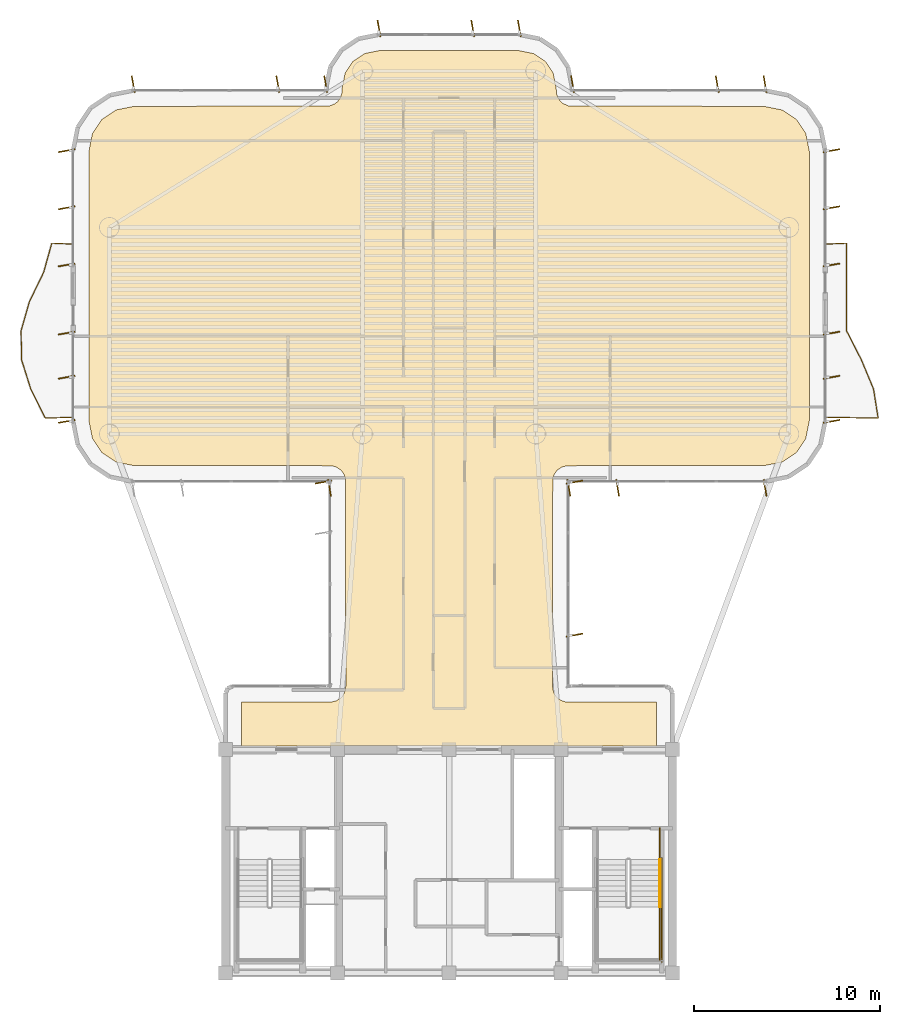
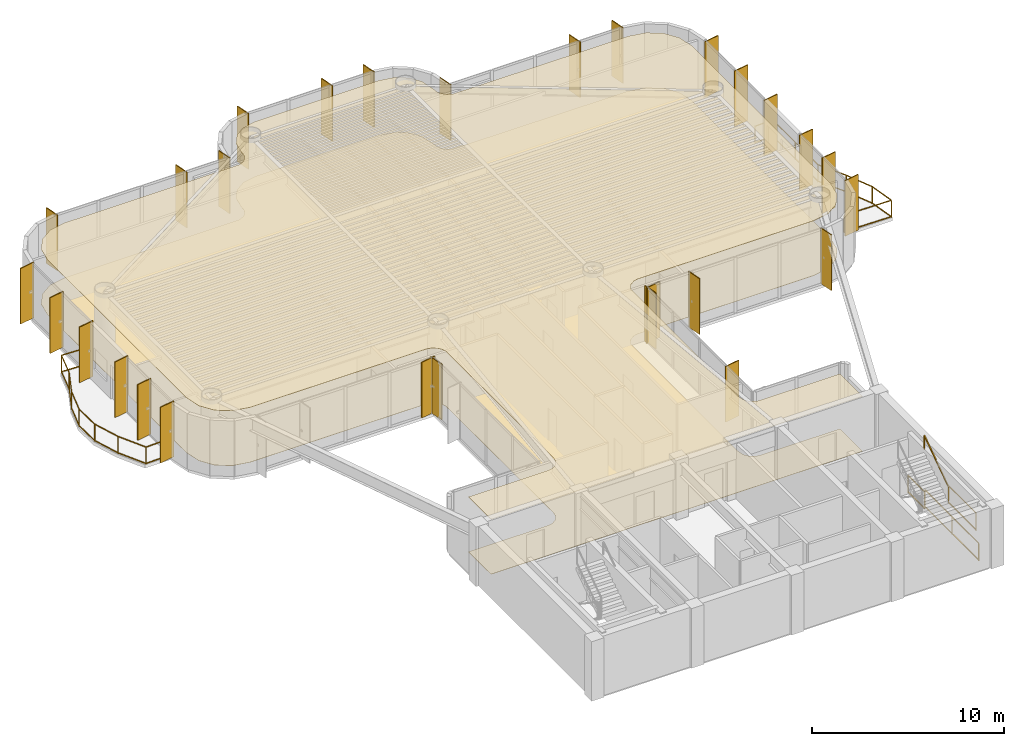
# One storey, part 14 of 14: 28 shading devices, 6 railings, 2 coverings.
"""IFC4 building model written with IfcOpenShell, lengths in metres."""

from ifc_helpers import new_model, si_unit, direction, frame, origin, origin_2d, place, context, subcontext, project, spatial, polyline, rectangle, outline, extrude, source, transform, mapped, material, layer, layer_set, material_profile, profile_set, type_object, element, save


model = new_model("IFC4")

# Units and contexts
model_context = context("Model", 3, precision=1e-05, world=origin(), true_north=direction((0.0, 1.0)))
body_context = subcontext(model_context, "Body", "Model", "MODEL_VIEW")
ifc_project = project(units=[si_unit("LENGTHUNIT", "METRE"), si_unit("AREAUNIT", "SQUARE_METRE"), si_unit("VOLUMEUNIT", "CUBIC_METRE"), si_unit("PLANEANGLEUNIT", "RADIAN"), si_unit("MASSUNIT", "GRAM", prefix="KILO")], contexts=[model_context])

# Site, building, storey
site_placement = place(None, origin())
site = spatial("IfcSite", under=ifc_project, at=site_placement, CompositionType="ELEMENT")
building_placement = place(site_placement, origin())
building = spatial("IfcBuilding", under=site, at=building_placement, Name="Brelvock Crest Care Tower", CompositionType="ELEMENT")
storey_placement = place(building_placement, frame((0.0, 0.0, 182.8798828125)))
storey = spatial("IfcBuildingStorey", under=building, at=storey_placement, Name="L46", CompositionType="ELEMENT", Elevation=182.8798828125)

# Coverings
ifc_material_1 = material(Name="Mineral Fibre Acoustic Ceiling Tile", Category="gypsum")
ifc_layer_1 = layer(ifc_material_1, 0.02490234375, Name="COV-CLG1")
ifc_layer_set_1 = layer_set([ifc_layer_1], Name="Mineral Fibre Acoustic Ceiling Tile")
covering_type_1 = type_object("IfcCoveringType", Name="COV-CLG1", PredefinedType="CEILING", material=ifc_layer_set_1)
covering_1_placement = place(storey_placement, frame((0.0, 0.0, 3.47509765625)))
element("IfcCovering", 1, at=covering_1_placement, inside=storey, type_object=covering_type_1, Name="L46 Acoustic Suspended Ceiling 1", PredefinedType="CEILING", context=body_context, shape_type="SweptSolid", body=[
    extrude(outline(polyline([(24.85009765625, 18.199951171875), (47.14990234375, 18.199951171875), (47.14990234375, 20.550048828125), (42.316650390625, 20.55419921875), (42.1533203125, 20.586669921875), (41.927734375, 20.693359375), (41.742919921875, 20.86083984375), (41.61474609375, 21.07470703125), (41.550048828125, 21.39990234375), (41.56640625, 32.56591796875), (41.650390625, 32.80078125), (41.799072265625, 33.0009765625), (42.07470703125, 33.185302734375), (42.316650390625, 33.245849609375), (52.916259765625, 33.25), (53.892822265625, 33.4443359375), (54.64990234375, 33.9501953125), (55.15576171875, 34.70703125), (55.35009765625, 35.68359375), (55.35009765625, 50.1162109375), (55.15576171875, 51.093017578125), (54.64990234375, 51.849853515625), (53.892822265625, 52.355712890625), (52.916259765625, 52.550048828125), (42.43408203125, 52.56640625), (42.127685546875, 52.693359375), (41.9990234375, 52.799072265625), (41.850341796875, 52.999267578125), (41.766357421875, 53.234130859375), (41.75, 53.516357421875), (41.586181640625, 54.33984375), (41.1669921875, 54.967041015625), (40.539794921875, 55.38623046875), (39.71630859375, 55.550048828125), (32.28369140625, 55.550048828125), (31.460205078125, 55.38623046875), (30.8330078125, 54.967041015625), (30.413818359375, 54.33984375), (30.25, 53.516357421875), (30.233642578125, 53.234130859375), (30.149658203125, 52.999267578125), (30.0009765625, 52.799072265625), (29.872314453125, 52.693359375), (29.56591796875, 52.56640625), (19.083740234375, 52.550048828125), (18.107177734375, 52.355712890625), (17.35009765625, 51.849853515625), (16.84423828125, 51.093017578125), (16.64990234375, 50.1162109375), (16.64990234375, 35.68359375), (16.84423828125, 34.70703125), (17.35009765625, 33.9501953125), (18.107177734375, 33.4443359375), (19.083740234375, 33.25), (29.683349609375, 33.245849609375), (29.92529296875, 33.185302734375), (30.200927734375, 33.0009765625), (30.349609375, 32.80078125), (30.43359375, 32.56591796875), (30.449951171875, 21.39990234375), (30.38525390625, 21.07470703125), (30.257080078125, 20.86083984375), (30.13916015625, 20.742919921875), (29.92529296875, 20.61474609375), (29.683349609375, 20.55419921875), (24.85009765625, 20.550048828125), (24.85009765625, 18.199951171875)])), origin(), (0.0, 0.0, 1.0), 0.02490234375),
])
ifc_material_2 = material(Name="Slip-Resistant Acoustic Vinyl Flooring", Category="finish")
ifc_layer_2 = layer(ifc_material_2, 0.014892578125, Name="COV-FLR1")
ifc_layer_set_2 = layer_set([ifc_layer_2], Name="Slip-Resistant Acoustic Vinyl Flooring")
covering_type_2 = type_object("IfcCoveringType", Name="COV-FLR1", PredefinedType="FLOORING", material=ifc_layer_set_2)
covering_2_placement = place(storey_placement, origin())
element("IfcCovering", 2, at=covering_2_placement, inside=storey, type_object=covering_type_2, Name="L46 Slip-Resistant Acoustic Flooring 1", PredefinedType="FLOORING", context=body_context, shape_type="SweptSolid", body=[
    extrude(outline(polyline([(24.85009765625, 18.199951171875), (47.14990234375, 18.199951171875), (47.14990234375, 20.550048828125), (42.316650390625, 20.55419921875), (42.1533203125, 20.586669921875), (41.927734375, 20.693359375), (41.742919921875, 20.86083984375), (41.61474609375, 21.07470703125), (41.550048828125, 21.39990234375), (41.56640625, 32.56591796875), (41.650390625, 32.80078125), (41.799072265625, 33.0009765625), (42.07470703125, 33.185302734375), (42.316650390625, 33.245849609375), (52.916259765625, 33.25), (53.892822265625, 33.4443359375), (54.64990234375, 33.9501953125), (55.15576171875, 34.70703125), (55.35009765625, 35.68359375), (55.35009765625, 50.1162109375), (55.15576171875, 51.093017578125), (54.64990234375, 51.849853515625), (53.892822265625, 52.355712890625), (52.916259765625, 52.550048828125), (42.43408203125, 52.56640625), (42.127685546875, 52.693359375), (41.9990234375, 52.799072265625), (41.850341796875, 52.999267578125), (41.766357421875, 53.234130859375), (41.75, 53.516357421875), (41.586181640625, 54.33984375), (41.1669921875, 54.967041015625), (40.539794921875, 55.38623046875), (39.71630859375, 55.550048828125), (32.28369140625, 55.550048828125), (31.460205078125, 55.38623046875), (30.8330078125, 54.967041015625), (30.413818359375, 54.33984375), (30.25, 53.516357421875), (30.233642578125, 53.234130859375), (30.149658203125, 52.999267578125), (30.0009765625, 52.799072265625), (29.872314453125, 52.693359375), (29.56591796875, 52.56640625), (19.083740234375, 52.550048828125), (18.107177734375, 52.355712890625), (17.35009765625, 51.849853515625), (16.84423828125, 51.093017578125), (16.64990234375, 50.1162109375), (16.64990234375, 35.68359375), (16.84423828125, 34.70703125), (17.35009765625, 33.9501953125), (18.107177734375, 33.4443359375), (19.083740234375, 33.25), (29.683349609375, 33.245849609375), (29.92529296875, 33.185302734375), (30.200927734375, 33.0009765625), (30.349609375, 32.80078125), (30.43359375, 32.56591796875), (30.449951171875, 21.39990234375), (30.38525390625, 21.07470703125), (30.257080078125, 20.86083984375), (30.13916015625, 20.742919921875), (29.92529296875, 20.61474609375), (29.683349609375, 20.55419921875), (24.85009765625, 20.550048828125), (24.85009765625, 18.199951171875)])), origin(), (0.0, 0.0, 1.0), 0.01513671875),
])

# Railings
ifc_material_3 = material(Name="Dark Glass Double Glazed Low-E", Category="glass")
ifc_layer_3 = layer(ifc_material_3, 0.06005859375, Name="RL-BAL1")
ifc_layer_set_3 = layer_set([ifc_layer_3], Name="Dark Glass Double Glazed Low-E")
railing_type_1 = type_object("IfcRailingType", Name="RL-BAL1", PredefinedType="BALUSTRADE", material=ifc_layer_set_3)
railing_1_placement = place(storey_placement, frame((15.760009765625, 35.85009765625, 0.004150390625)))
element("IfcRailing", 3, at=railing_1_placement, inside=storey, type_object=railing_type_1, Name="L46 Safety Balustrade WB-W", PredefinedType="BALUSTRADE", context=body_context, shape_type="SweptSolid", body=[
    extrude(rectangle(XDim=0.048095703125, YDim=0.048095703125, at=origin_2d()), frame((-0.001953125, 0.0, 1.09619140625), z_axis=(-0.999404799616, -0.034497050669, 0.0), x_axis=(0.034497050669, -0.999404799616, 0.0)), (0.0, 0.0, 1.0), 1.44677734375),
    extrude(rectangle(XDim=0.048095703125, YDim=0.048095703125, at=origin_2d()), frame((-0.001953125, 0.0, 0.054931640625), z_axis=(-0.999404799616, -0.034497050669, 0.0), x_axis=(0.034497050669, -0.999404799616, 0.0)), (0.0, 0.0, 1.0), 1.44677734375),
    extrude(rectangle(XDim=0.048095703125, YDim=0.048095703125, at=origin_2d()), frame((-1.450927734375, -0.04833984375, 1.09619140625), z_axis=(-0.44525902638, 0.895401808925, 0.0), x_axis=(-0.895401808925, -0.44525902638, 0.0)), (0.0, 0.0, 1.0), 1.74560546875),
    extrude(rectangle(XDim=0.048095703125, YDim=0.048095703125, at=origin_2d()), frame((-1.450927734375, -0.04833984375, 0.054931640625), z_axis=(-0.44525902638, 0.895401808925, 0.0), x_axis=(-0.895401808925, -0.44525902638, 0.0)), (0.0, 0.0, 1.0), 1.74560546875),
    extrude(rectangle(XDim=0.048095703125, YDim=0.048095703125, at=origin_2d()), frame((-2.2294921875, 1.5185546875, 1.09619140625), z_axis=(-0.300533785951, 0.95377116936, 0.0), x_axis=(-0.95377116936, -0.300533785951, 0.0)), (0.0, 0.0, 1.0), 1.638671875),
    extrude(rectangle(XDim=0.048095703125, YDim=0.048095703125, at=origin_2d()), frame((-2.2294921875, 1.5185546875, 0.054931640625), z_axis=(-0.300533785951, 0.95377116936, 0.0), x_axis=(-0.95377116936, -0.300533785951, 0.0)), (0.0, 0.0, 1.0), 1.638671875),
    extrude(rectangle(XDim=0.048095703125, YDim=0.048095703125, at=origin_2d()), frame((-2.72265625, 3.085205078125, 1.09619140625), z_axis=(-0.016983680628, 0.999855766895, 0.0), x_axis=(-0.999855766895, -0.016983680628, 0.0)), (0.0, 0.0, 1.0), 1.56298828125),
    extrude(rectangle(XDim=0.048095703125, YDim=0.048095703125, at=origin_2d()), frame((-2.72265625, 3.085205078125, 0.054931640625), z_axis=(-0.016983680628, 0.999855766895, 0.0), x_axis=(-0.999855766895, -0.016983680628, 0.0)), (0.0, 0.0, 1.0), 1.56298828125),
    extrude(rectangle(XDim=0.048095703125, YDim=0.048095703125, at=origin_2d()), frame((-2.748779296875, 4.65185546875, 1.09619140625), z_axis=(0.275907910991, 0.961184074282, 0.0), x_axis=(-0.961184074282, 0.275907910991, 0.0)), (0.0, 0.0, 1.0), 1.6259765625),
    extrude(rectangle(XDim=0.048095703125, YDim=0.048095703125, at=origin_2d()), frame((-2.748779296875, 4.65185546875, 0.054931640625), z_axis=(0.275907910991, 0.961184074282, 0.0), x_axis=(-0.961184074282, 0.275907910991, 0.0)), (0.0, 0.0, 1.0), 1.6259765625),
    extrude(rectangle(XDim=0.048095703125, YDim=0.048095703125, at=origin_2d()), frame((-2.298583984375, 6.21826171875, 1.09619140625), z_axis=(0.437036809921, 0.899443620675, 0.0), x_axis=(-0.899443620675, 0.437036809921, 0.0)), (0.0, 0.0, 1.0), 1.73779296875),
    extrude(rectangle(XDim=0.048095703125, YDim=0.048095703125, at=origin_2d()), frame((-2.298583984375, 6.21826171875, 0.054931640625), z_axis=(0.437036809921, 0.899443620675, 0.0), x_axis=(-0.899443620675, 0.437036809921, 0.0)), (0.0, 0.0, 1.0), 1.73779296875),
    extrude(rectangle(XDim=0.048095703125, YDim=0.048095703125, at=origin_2d()), frame((-1.537841796875, 7.78515625, 1.09619140625), z_axis=(0.269384986944, 0.963032568924, 0.0), x_axis=(-0.963032568924, 0.269384986944, 0.0)), (0.0, 0.0, 1.0), 1.622802734375),
    extrude(rectangle(XDim=0.048095703125, YDim=0.048095703125, at=origin_2d()), frame((-1.537841796875, 7.78515625, 0.054931640625), z_axis=(0.269384986944, 0.963032568924, 0.0), x_axis=(-0.963032568924, 0.269384986944, 0.0)), (0.0, 0.0, 1.0), 1.622802734375),
    extrude(rectangle(XDim=0.048095703125, YDim=0.048095703125, at=origin_2d()), frame((-1.09814453125, 9.349853515625, 1.09619140625), z_axis=(0.998966710972, -0.045447886318, 0.0), x_axis=(0.045447886318, 0.998966710972, 0.0)), (0.0, 0.0, 1.0), 1.09716796875),
    extrude(rectangle(XDim=0.048095703125, YDim=0.048095703125, at=origin_2d()), frame((-1.09814453125, 9.349853515625, 0.054931640625), z_axis=(0.998966710972, -0.045447886318, 0.0), x_axis=(0.045447886318, 0.998966710972, 0.0)), (0.0, 0.0, 1.0), 1.09716796875),
    extrude(rectangle(XDim=0.0419921875, YDim=0.0419921875, at=origin_2d()), origin(), (0.0, 0.0, 1.0), 1.070068359375),
    extrude(rectangle(XDim=0.0419921875, YDim=0.0419921875, at=origin_2d()), frame((-1.449951171875, -0.050048828125, 0.0)), (0.0, 0.0, 1.0), 1.070068359375),
    extrude(rectangle(XDim=0.0419921875, YDim=0.0419921875, at=origin_2d()), frame((-2.22900390625, 1.5166015625, 0.0)), (0.0, 0.0, 1.0), 1.070068359375),
    extrude(rectangle(XDim=0.0419921875, YDim=0.0419921875, at=origin_2d()), frame((-2.72265625, 3.083251953125, 0.0)), (0.0, 0.0, 1.0), 1.070068359375),
    extrude(rectangle(XDim=0.0419921875, YDim=0.0419921875, at=origin_2d()), frame((-2.749267578125, 4.64990234375, 0.0)), (0.0, 0.0, 1.0), 1.070068359375),
    extrude(rectangle(XDim=0.0419921875, YDim=0.0419921875, at=origin_2d()), frame((-2.299560546875, 6.216552734375, 0.0)), (0.0, 0.0, 1.0), 1.070068359375),
    extrude(rectangle(XDim=0.0419921875, YDim=0.0419921875, at=origin_2d()), frame((-1.538330078125, 7.783203125, 0.0)), (0.0, 0.0, 1.0), 1.070068359375),
    extrude(rectangle(XDim=0.0419921875, YDim=0.0419921875, at=origin_2d()), frame((-1.10009765625, 9.349853515625, 0.0)), (0.0, 0.0, 1.0), 1.070068359375),
    extrude(rectangle(XDim=0.0419921875, YDim=0.0419921875, at=origin_2d()), frame((0.0, 9.2998046875, 0.0)), (0.0, 0.0, 1.0), 1.070068359375),
])
railing_2_placement = place(storey_placement, frame((56.239990234375, 35.85009765625, 0.004150390625)))
element("IfcRailing", 4, at=railing_2_placement, inside=storey, type_object=railing_type_1, Name="L46 Safety Balustrade WB-E", PredefinedType="BALUSTRADE", context=body_context, shape_type="SweptSolid", body=[
    extrude(rectangle(XDim=0.048095703125, YDim=0.048095703125, at=origin_2d()), frame((0.001953125, 0.0, 1.09619140625), z_axis=(0.999840293507, -0.017871415134, 0.0), x_axis=(0.017871415134, 0.999840293507, 0.0)), (0.0, 0.0, 1.0), 2.79638671875),
    extrude(rectangle(XDim=0.048095703125, YDim=0.048095703125, at=origin_2d()), frame((0.001953125, 0.0, 0.054931640625), z_axis=(0.999840293507, -0.017871415134, 0.0), x_axis=(0.017871415134, 0.999840293507, 0.0)), (0.0, 0.0, 1.0), 2.79638671875),
    extrude(rectangle(XDim=0.048095703125, YDim=0.048095703125, at=origin_2d()), frame((2.7998046875, -0.048095703125, 1.09619140625), z_axis=(-0.156081137103, 0.987744237463, 0.0), x_axis=(-0.987744237463, -0.156081137103, 0.0)), (0.0, 0.0, 1.0), 1.58203125),
    extrude(rectangle(XDim=0.048095703125, YDim=0.048095703125, at=origin_2d()), frame((2.7998046875, -0.048095703125, 0.054931640625), z_axis=(-0.156081137103, 0.987744237463, 0.0), x_axis=(-0.987744237463, -0.156081137103, 0.0)), (0.0, 0.0, 1.0), 1.58203125),
    extrude(rectangle(XDim=0.048095703125, YDim=0.048095703125, at=origin_2d()), frame((2.5517578125, 1.5185546875, 1.09619140625), z_axis=(-0.384155606782, 0.923268362817, 0.0), x_axis=(-0.923268362817, -0.384155606782, 0.0)), (0.0, 0.0, 1.0), 1.69287109375),
    extrude(rectangle(XDim=0.048095703125, YDim=0.048095703125, at=origin_2d()), frame((2.5517578125, 1.5185546875, 0.054931640625), z_axis=(-0.384155606782, 0.923268362817, 0.0), x_axis=(-0.923268362817, -0.384155606782, 0.0)), (0.0, 0.0, 1.0), 1.69287109375),
    extrude(rectangle(XDim=0.048095703125, YDim=0.048095703125, at=origin_2d()), frame((1.899658203125, 3.0849609375, 1.09619140625), z_axis=(-0.455023036608, 0.890479666335, 0.0), x_axis=(-0.890479666335, -0.455023036608, 0.0)), (0.0, 0.0, 1.0), 1.75537109375),
    extrude(rectangle(XDim=0.048095703125, YDim=0.048095703125, at=origin_2d()), frame((1.899658203125, 3.0849609375, 0.054931640625), z_axis=(-0.455023036608, 0.890479666335, 0.0), x_axis=(-0.890479666335, -0.455023036608, 0.0)), (0.0, 0.0, 1.0), 1.75537109375),
    extrude(rectangle(XDim=0.048095703125, YDim=0.048095703125, at=origin_2d()), frame((1.10009765625, 4.65185546875, 1.09619140625), z_axis=(0.0, 1.0, 0.0), x_axis=(-1.0, 0.0, 0.0)), (0.0, 0.0, 1.0), 4.696044921875),
    extrude(rectangle(XDim=0.048095703125, YDim=0.048095703125, at=origin_2d()), frame((1.10009765625, 4.65185546875, 0.054931640625), z_axis=(0.0, 1.0, 0.0), x_axis=(-1.0, 0.0, 0.0)), (0.0, 0.0, 1.0), 4.696044921875),
    extrude(rectangle(XDim=0.048095703125, YDim=0.048095703125, at=origin_2d()), frame((1.09814453125, 9.349853515625, 1.09619140625), z_axis=(-0.998966710972, -0.045447886318, 0.0), x_axis=(0.045447886318, -0.998966710972, 0.0)), (0.0, 0.0, 1.0), 1.09716796875),
    extrude(rectangle(XDim=0.048095703125, YDim=0.048095703125, at=origin_2d()), frame((1.09814453125, 9.349853515625, 0.054931640625), z_axis=(-0.998966710972, -0.045447886318, 0.0), x_axis=(0.045447886318, -0.998966710972, 0.0)), (0.0, 0.0, 1.0), 1.09716796875),
    extrude(rectangle(XDim=0.0419921875, YDim=0.0419921875, at=origin_2d()), origin(), (0.0, 0.0, 1.0), 1.070068359375),
    extrude(rectangle(XDim=0.0419921875, YDim=0.0419921875, at=origin_2d()), frame((2.800048828125, -0.050048828125, 0.0)), (0.0, 0.0, 1.0), 1.070068359375),
    extrude(rectangle(XDim=0.0419921875, YDim=0.0419921875, at=origin_2d()), frame((2.552490234375, 1.5166015625, 0.0)), (0.0, 0.0, 1.0), 1.070068359375),
    extrude(rectangle(XDim=0.0419921875, YDim=0.0419921875, at=origin_2d()), frame((1.900634765625, 3.083251953125, 0.0)), (0.0, 0.0, 1.0), 1.070068359375),
    extrude(rectangle(XDim=0.0419921875, YDim=0.0419921875, at=origin_2d()), frame((1.10009765625, 4.64990234375, 0.0)), (0.0, 0.0, 1.0), 1.070068359375),
    extrude(rectangle(XDim=0.0419921875, YDim=0.0419921875, at=origin_2d()), frame((1.10009765625, 7.0, 0.0)), (0.0, 0.0, 1.0), 1.070068359375),
    extrude(rectangle(XDim=0.0419921875, YDim=0.0419921875, at=origin_2d()), frame((1.10009765625, 9.349853515625, 0.0)), (0.0, 0.0, 1.0), 1.070068359375),
    extrude(rectangle(XDim=0.0419921875, YDim=0.0419921875, at=origin_2d()), frame((0.0, 9.2998046875, 0.0)), (0.0, 0.0, 1.0), 1.070068359375),
])
ifc_material_4 = material(Name="Steel Grade 350", Category="steel")
ifc_layer_4 = layer(ifc_material_4, 0.050048828125, Name="RL-STG1")
ifc_layer_set_4 = layer_set([ifc_layer_4], Name="Steel Grade 350")
railing_type_2 = type_object("IfcRailingType", Name="RL-STG1", PredefinedType="GUARDRAIL", material=ifc_layer_set_4)
railing_3_placement = place(storey_placement, frame((47.320068359375, 9.56005859375, 1.89013671875)))
element("IfcRailing", 5, at=railing_3_placement, inside=storey, type_object=railing_type_2, Name="L46 ST-2 stair guard 4", PredefinedType="GUARDRAIL", context=body_context, shape_type="SweptSolid", body=[
    extrude(rectangle(XDim=0.048095703125, YDim=0.048095703125, at=origin_2d()), frame((0.0, -0.001953125, 1.11572265625), z_axis=(0.0, -1.0, 0.0), x_axis=(1.0, 0.0, 0.0)), (0.0, 0.0, 1.0), 2.856201171875),
    extrude(rectangle(XDim=0.048095703125, YDim=0.048095703125, at=origin_2d()), frame((0.0, -0.001953125, 0.054931640625), z_axis=(0.0, -1.0, 0.0), x_axis=(1.0, 0.0, 0.0)), (0.0, 0.0, 1.0), 2.856201171875),
    extrude(rectangle(XDim=0.0419921875, YDim=0.0419921875, at=origin_2d()), origin(), (0.0, 0.0, 1.0), 1.08984375),
    extrude(rectangle(XDim=0.0419921875, YDim=0.0419921875, at=origin_2d()), frame((0.0, -2.860107421875, 0.0)), (0.0, 0.0, 1.0), 1.08984375),
])
railing_4_placement = place(storey_placement, frame((47.320068359375, 13.780029296875, 0.0)))
element("IfcRailing", 6, at=railing_4_placement, inside=storey, type_object=railing_type_2, Name="L46 ST-2 stair guard 9", PredefinedType="GUARDRAIL", context=body_context, shape_type="SweptSolid", body=[
    extrude(rectangle(XDim=0.048095703125, YDim=0.048095703125, at=origin_2d()), frame((0.0, -0.001953125, 1.11572265625), z_axis=(0.0, -1.0, 0.0), x_axis=(1.0, 0.0, 0.0)), (0.0, 0.0, 1.0), 1.696044921875),
    extrude(rectangle(XDim=0.048095703125, YDim=0.048095703125, at=origin_2d()), frame((0.0, -0.001953125, 0.054931640625), z_axis=(0.0, -1.0, 0.0), x_axis=(1.0, 0.0, 0.0)), (0.0, 0.0, 1.0), 1.696044921875),
    extrude(rectangle(XDim=0.0419921875, YDim=0.0419921875, at=origin_2d()), origin(), (0.0, 0.0, 1.0), 1.08984375),
    extrude(rectangle(XDim=0.0419921875, YDim=0.0419921875, at=origin_2d()), frame((0.0, -1.699951171875, 0.0)), (0.0, 0.0, 1.0), 1.08984375),
])
railing_5_placement = place(storey_placement, frame((47.419921875, 12.179931640625, 0.0)))
element("IfcRailing", 7, at=railing_5_placement, inside=storey, type_object=railing_type_2, Name="L46 ST-2 stair guard 11", PredefinedType="GUARDRAIL", context=body_context, shape_type="SweptSolid", body=[
    extrude(rectangle(XDim=0.048095703125, YDim=0.048095703125, at=origin_2d()), frame((0.0, -0.001953125, 1.11572265625), z_axis=(0.0, -1.0, 0.0), x_axis=(1.0, 0.0, 0.0)), (0.0, 0.0, 1.0), 5.575927734375),
    extrude(rectangle(XDim=0.048095703125, YDim=0.048095703125, at=origin_2d()), frame((0.0, -0.001953125, 0.054931640625), z_axis=(0.0, -1.0, 0.0), x_axis=(1.0, 0.0, 0.0)), (0.0, 0.0, 1.0), 5.575927734375),
    extrude(rectangle(XDim=0.0419921875, YDim=0.0419921875, at=origin_2d()), origin(), (0.0, 0.0, 1.0), 1.08984375),
    extrude(rectangle(XDim=0.0419921875, YDim=0.0419921875, at=origin_2d()), frame((0.0, -2.7900390625, 0.0)), (0.0, 0.0, 1.0), 1.08984375),
    extrude(rectangle(XDim=0.0419921875, YDim=0.0419921875, at=origin_2d()), frame((0.0, -5.579833984375, 0.0)), (0.0, 0.0, 1.0), 1.08984375),
])
ifc_layer_5 = layer(ifc_material_4, 0.048095703125, Name="RL-STH1")
ifc_layer_set_5 = layer_set([ifc_layer_5], Name="Steel Grade 350")
railing_type_3 = type_object("IfcRailingType", Name="RL-STH1", PredefinedType="HANDRAIL", material=ifc_layer_set_5)
railing_6_placement = place(storey_placement, frame((47.320068359375, 9.56005859375, 2.0791015625)))
element("IfcRailing", 8, at=railing_6_placement, inside=storey, type_object=railing_type_3, Name="L46 ST-2 stair handrail 2", PredefinedType="HANDRAIL", context=body_context, shape_type="SweptSolid", body=[
    extrude(rectangle(XDim=0.048095703125, YDim=0.048095703125, at=origin_2d()), frame((0.0, 0.001708984375, 0.876953125), z_axis=(0.0, 0.828861706735, 0.559453546873), x_axis=(-1.0, 0.0, 0.0)), (0.0, 0.0, 1.0), 3.036376953125),
    extrude(rectangle(XDim=0.0419921875, YDim=0.0419921875, at=origin_2d()), origin(), (0.0, 0.0, 1.0), 0.849853515625),
    extrude(rectangle(XDim=0.0419921875, YDim=0.0419921875, at=origin_2d()), frame((0.0, 2.52001953125, 1.700927734375)), (0.0, 0.0, 1.0), 0.849853515625),
])

# Shading devices
ifc_material_5 = material(Name="Aluminium 6063-T6", Category="aluminium")
ifc_material_profile = material_profile(ifc_material_5, rectangle(XDim=0.054931640625, YDim=0.89990234375, at=origin_2d()), Name="FIN55x900")
ifc_profile_set = profile_set([ifc_material_profile], Name="Aluminium 6063-T6")
shading_device_type = type_object("IfcShadingDeviceType", Name="SHD-FIN1", PredefinedType="USERDEFINED", material=ifc_profile_set)
shared_shape = source(origin(), body_context, "Body", "SweptSolid", [
    extrude(rectangle(XDim=0.054931640625, YDim=0.89990234375, at=origin_2d()), origin(), (0.0, 0.0, 1.0), 3.530029296875),
])
for number, where, z_axis, x_axis, name in (
    (9, (29.260009765625, 32.3701171875, 0.0), (0.0, 0.0, 1.0), (-0.173648177667, 0.984807753012, 0.0), "L46 Vertical Sunshade Fin E11-05"),
    (10, (29.570068359375, 32.06005859375, 0.0), (0.0, 0.0, 1.0), (-0.984807753012, -0.173648177667, 0.0), "L46 Vertical Sunshade Fin E12-01"),
    (11, (15.4599609375, 35.6298828125, 0.0), (0.0, 0.0, 1.0), (-0.173648177667, 0.984807753012, 0.0), "L46 Vertical Sunshade Fin E17A-01"),
    (12, (15.4599609375, 38.0, 0.0), (0.0, 0.0, 1.0), (-0.173648177667, 0.984807753012, 0.0), "L46 Vertical Sunshade Fin E17A-02"),
    (13, (15.4599609375, 40.3701171875, 0.0), (0.0, 0.0, 1.0), (-0.173648177667, 0.984807753012, 0.0), "L46 Vertical Sunshade Fin E17A-03"),
    (14, (15.4599609375, 44.030029296875, 0.0), (0.0, 0.0, 1.0), (-0.173648177667, 0.984807753012, 0.0), "L46 Vertical Sunshade Fin E17B-01"),
    (15, (15.4599609375, 47.10009765625, 0.0), (0.0, 0.0, 1.0), (-0.173648177667, 0.984807753012, 0.0), "L46 Vertical Sunshade Fin E17B-02"),
    (16, (15.4599609375, 50.169921875, 0.0), (0.0, 0.0, 1.0), (-0.173648177667, 0.984807753012, 0.0), "L46 Vertical Sunshade Fin E17B-03"),
    (17, (19.030029296875, 53.739990234375, 0.0), (0.0, 0.0, 1.0), (0.984807753012, 0.173648177667, 0.0), "L46 Vertical Sunshade Fin E22-01"),
    (18, (26.800048828125, 53.739990234375, 0.0), (0.0, 0.0, 1.0), (0.984807753012, 0.173648177667, 0.0), "L46 Vertical Sunshade Fin E22-04"),
    (19, (29.3701171875, 53.739990234375, 0.0), (0.0, 0.0, 1.0), (0.984807753012, 0.173648177667, 0.0), "L46 Vertical Sunshade Fin E22-05"),
    (20, (32.22998046875, 56.739990234375, 0.0), (0.0, 0.0, 1.0), (0.984807753012, 0.173648177667, 0.0), "L46 Vertical Sunshade Fin E28-01"),
    (21, (37.2666015625, 56.739990234375, 0.0), (0.0, 0.0, 1.0), (0.984807753012, 0.173648177667, 0.0), "L46 Vertical Sunshade Fin E28-03"),
    (22, (39.77001953125, 56.739990234375, 0.0), (0.0, 0.0, 1.0), (0.984807753012, 0.173648177667, 0.0), "L46 Vertical Sunshade Fin E28-04"),
    (23, (42.6298828125, 53.739990234375, 0.0), (0.0, 0.0, 1.0), (0.984807753012, 0.173648177667, 0.0), "L46 Vertical Sunshade Fin E34-01"),
    (24, (50.39990234375, 53.739990234375, 0.0), (0.0, 0.0, 1.0), (0.984807753012, 0.173648177667, 0.0), "L46 Vertical Sunshade Fin E34-04"),
    (25, (52.969970703125, 53.739990234375, 0.0), (0.0, 0.0, 1.0), (0.984807753012, 0.173648177667, 0.0), "L46 Vertical Sunshade Fin E34-05"),
    (26, (56.5400390625, 50.169921875, 0.0), (0.0, 0.0, 1.0), (0.173648177667, -0.984807753012, 0.0), "L46 Vertical Sunshade Fin E39A-01"),
    (27, (56.5400390625, 47.10009765625, 0.0), (0.0, 0.0, 1.0), (0.173648177667, -0.984807753012, 0.0), "L46 Vertical Sunshade Fin E39A-02"),
    (28, (56.5400390625, 44.030029296875, 0.0), (0.0, 0.0, 1.0), (0.173648177667, -0.984807753012, 0.0), "L46 Vertical Sunshade Fin E39A-03"),
    (29, (56.5400390625, 40.3701171875, 0.0), (0.0, 0.0, 1.0), (0.173648177667, -0.984807753012, 0.0), "L46 Vertical Sunshade Fin E39B-01"),
    (30, (56.5400390625, 38.0, 0.0), (0.0, 0.0, 1.0), (0.173648177667, -0.984807753012, 0.0), "L46 Vertical Sunshade Fin E39B-02"),
    (31, (56.5400390625, 35.6298828125, 0.0), (0.0, 0.0, 1.0), (0.173648177667, -0.984807753012, 0.0), "L46 Vertical Sunshade Fin E39B-03"),
    (32, (52.969970703125, 32.06005859375, 0.0), (0.0, 0.0, 1.0), (-0.984807753012, -0.173648177667, 0.0), "L46 Vertical Sunshade Fin E44-01"),
    (33, (45.050048828125, 32.06005859375, 0.0), (0.0, 0.0, 1.0), (-0.984807753012, -0.173648177667, 0.0), "L46 Vertical Sunshade Fin E44-04"),
    (34, (42.429931640625, 32.06005859375, 0.0), (0.0, 0.0, 1.0), (-0.984807753012, -0.173648177667, 0.0), "L46 Vertical Sunshade Fin E44-05"),
    (35, (42.739990234375, 32.3701171875, 0.0), (0.0, 0.0, 1.0), (0.173648177667, -0.984807753012, 0.0), "L46 Vertical Sunshade Fin E45-01"),
    (36, (42.739990234375, 24.14990234375, 0.0), (0.0, 0.0, 1.0), (0.173648177667, -0.984807753012, 0.0), "L46 Vertical Sunshade Fin E45-04"),
):
    element("IfcShadingDevice", number, at=place(storey_placement, frame(where, z_axis=z_axis, x_axis=x_axis)), inside=storey, type_object=shading_device_type, Name=name, ObjectType="FIN", PredefinedType="USERDEFINED", context=body_context, shape_type="MappedRepresentation", body=[
        mapped(shared_shape, transform((0.0, 0.0, 0.0), x_axis=(1.0, 0.0, 0.0), y_axis=(0.0, 1.0, 0.0), z_axis=(0.0, 0.0, 1.0), scale=1.0)),
    ])

save(model, "model.ifc")
